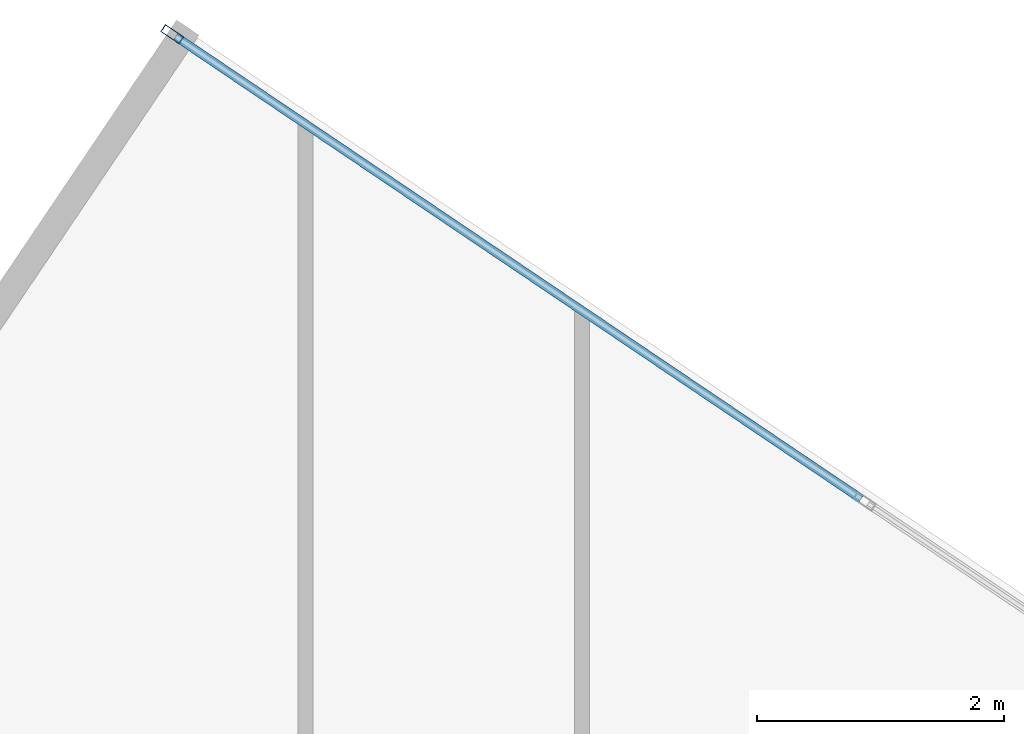
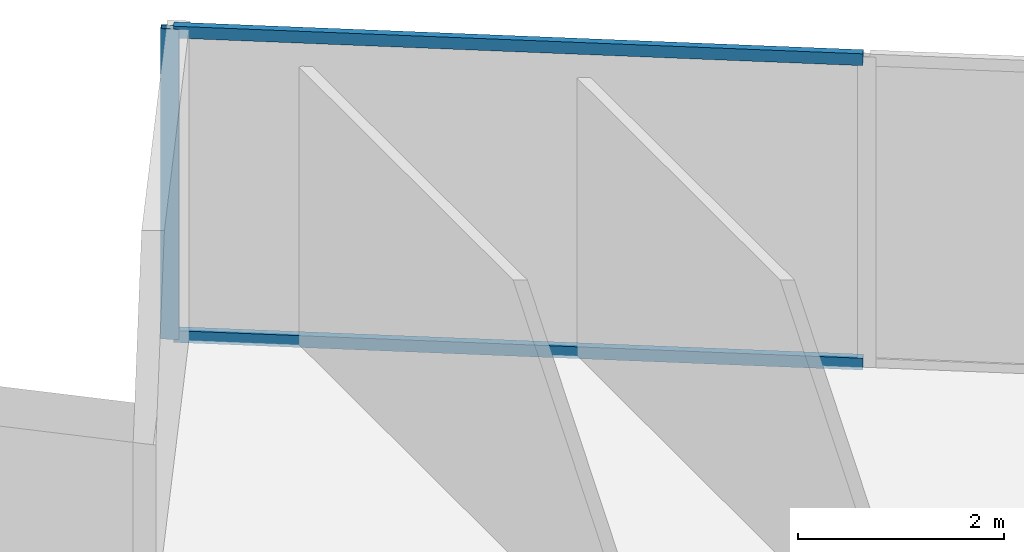
# One storey, part 17 of 27: 3 members, 1 element without a shape of its own.
"""IFC4 building model written with IfcOpenShell, lengths in metres."""

from ifc_helpers import new_model, si_unit, direction, frame, origin, origin_2d, place, context, subcontext, project, spatial, hollow_rectangle, extrude, source, transform, mapped, material, material_profile, profile_set, type_object, type_shapes, element, aggregate, save


model = new_model("IFC4")

# Units and contexts
model_context = context("Model", 3, precision=1e-05, world=origin(), true_north=direction((0.0, 1.0)))
body_context = subcontext(model_context, "Body", "Model", "MODEL_VIEW")
ifc_project = project(units=[si_unit("LENGTHUNIT", "METRE"), si_unit("AREAUNIT", "SQUARE_METRE"), si_unit("VOLUMEUNIT", "CUBIC_METRE"), si_unit("PLANEANGLEUNIT", "RADIAN"), si_unit("MASSUNIT", "GRAM", prefix="KILO")], contexts=[model_context])

# Site, building, storey
site_placement = place(None, origin())
site = spatial("IfcSite", under=ifc_project, at=site_placement, CompositionType="ELEMENT")
building_placement = place(site_placement, origin())
building = spatial("IfcBuilding", under=site, at=building_placement, Name="Krantzveldt Concourse Tower", CompositionType="ELEMENT")
storey_placement = place(building_placement, frame((0.0, 0.0, 189.64990234375)))
storey = spatial("IfcBuildingStorey", under=building, at=storey_placement, Name="L46", CompositionType="ELEMENT", Elevation=189.64990234375)

# Curtain wall, members
ifc_material = material(Name="Anodised aluminium 6063-T6", Category="aluminium")
curtain_wall_type = type_object("IfcCurtainWallType", Name="CW3", PredefinedType="USERDEFINED", material=ifc_material)
curtain_wall_placement = place(storey_placement, origin())
curtain_wall = element("IfcCurtainWall", 1, at=curtain_wall_placement, inside=storey, type_object=curtain_wall_type, Name="CW-L46-F14", ObjectType="UNITISED CURTAIN WALL", PredefinedType="USERDEFINED")
ifc_material_profile_1 = material_profile(ifc_material, hollow_rectangle(XDim=0.070068359375, YDim=0.179931640625, WallThickness=0.0048828125, at=origin_2d()), Name="Anodised aluminium 6063-T6", Category="aluminium")
ifc_profile_set_1 = profile_set([ifc_material_profile_1], Name="Anodised aluminium 6063-T6 - ALU-MULL 180x70x5")
member_type_1 = type_object("IfcMemberType", Name="CW-MUL-180", PredefinedType="MULLION", material=ifc_profile_set_1)
shared_shape_1 = source(origin(), body_context, "Body", "SweptSolid", [
    extrude(hollow_rectangle(XDim=0.070068359375, YDim=0.179931640625, WallThickness=0.0048828125, at=origin_2d()), origin(), (0.0, 0.0, 1.0), 3.670166015625),
])
type_shapes(member_type_1, [shared_shape_1])
member_1_placement = place(storey_placement, frame((33.7998046875, 54.49169921875, 0.0), z_axis=(0.0, 0.0, 1.0), x_axis=(-0.559192760874, -0.829037668737, 0.0)))
member_1 = element("IfcMember", 2, at=member_1_placement, type_object=member_type_1, Name="CW-Z34 mullion 3", PredefinedType="MULLION", context=body_context, shape_type="MappedRepresentation", body=[
    mapped(shared_shape_1, transform((0.0, 0.0, 0.0), x_axis=(1.0, 0.0, 0.0), y_axis=(0.0, 1.0, 0.0), z_axis=(0.0, 0.0, 1.0), scale=1.0)),
])
ifc_material_profile_2 = material_profile(ifc_material, hollow_rectangle(XDim=0.070068359375, YDim=0.139892578125, WallThickness=0.0048828125, at=origin_2d()), Name="Anodised aluminium 6063-T6", Category="aluminium")
ifc_profile_set_2 = profile_set([ifc_material_profile_2], Name="Anodised aluminium 6063-T6 - ALU-TRAN 140x70x5")
member_type_2 = type_object("IfcMemberType", Name="CW-TRN-150", PredefinedType="USERDEFINED", material=ifc_profile_set_2)
shared_shape_2 = source(origin(), body_context, "Body", "SweptSolid", [
    extrude(hollow_rectangle(XDim=0.070068359375, YDim=0.139892578125, WallThickness=0.0048828125, at=origin_2d()), origin(), (0.0, 0.0, 1.0), 6.695068359375),
])
type_shapes(member_type_2, [shared_shape_2])
member_2_placement = place(storey_placement, frame((39.379150390625, 50.728271484375, 0.03515625), z_axis=(-0.829025343294, 0.559211033668, 0.0), x_axis=(-0.559211033668, -0.829025343294, 0.0)))
member_2 = element("IfcMember", 3, at=member_2_placement, type_object=member_type_2, Name="CW-Z34 transom 2.1", ObjectType="TRANSOM", PredefinedType="USERDEFINED", context=body_context, shape_type="MappedRepresentation", body=[
    mapped(shared_shape_2, transform((0.0, 0.0, 0.0), x_axis=(1.0, 0.0, 0.0), y_axis=(0.0, 1.0, 0.0), z_axis=(0.0, 0.0, 1.0), scale=1.0)),
])
member_3_placement = place(storey_placement, frame((39.379150390625, 50.728271484375, 3.635009765625), z_axis=(-0.829025343294, 0.559211033668, 0.0), x_axis=(-0.559211033668, -0.829025343294, 0.0)))
member_3 = element("IfcMember", 4, at=member_3_placement, type_object=member_type_2, Name="CW-Z34 transom 2.2", ObjectType="TRANSOM", PredefinedType="USERDEFINED", context=body_context, shape_type="MappedRepresentation", body=[
    mapped(shared_shape_2, transform((0.0, 0.0, 0.0), x_axis=(1.0, 0.0, 0.0), y_axis=(0.0, 1.0, 0.0), z_axis=(0.0, 0.0, 1.0), scale=1.0)),
])
aggregate(curtain_wall, [member_1, member_2, member_3])

save(model, "model.ifc")
